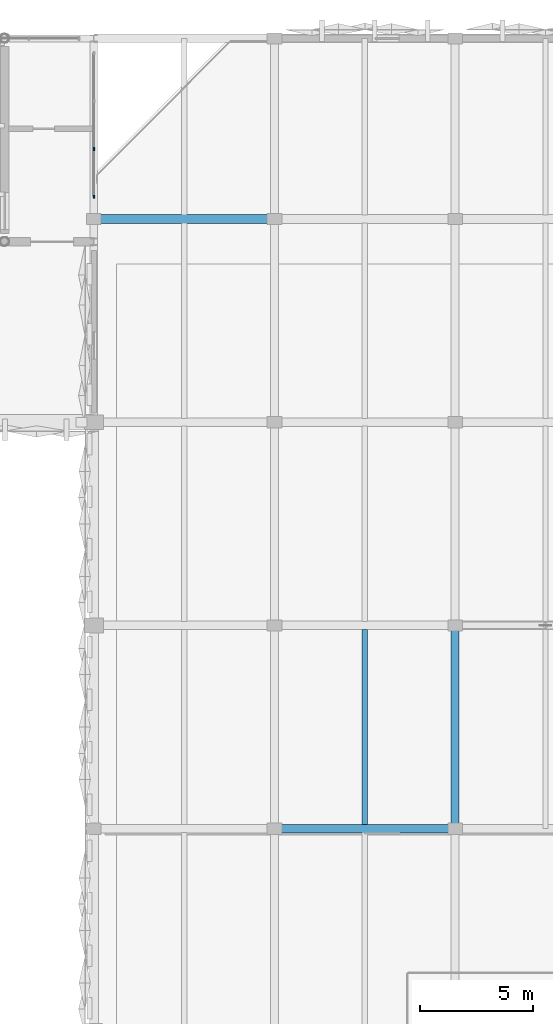
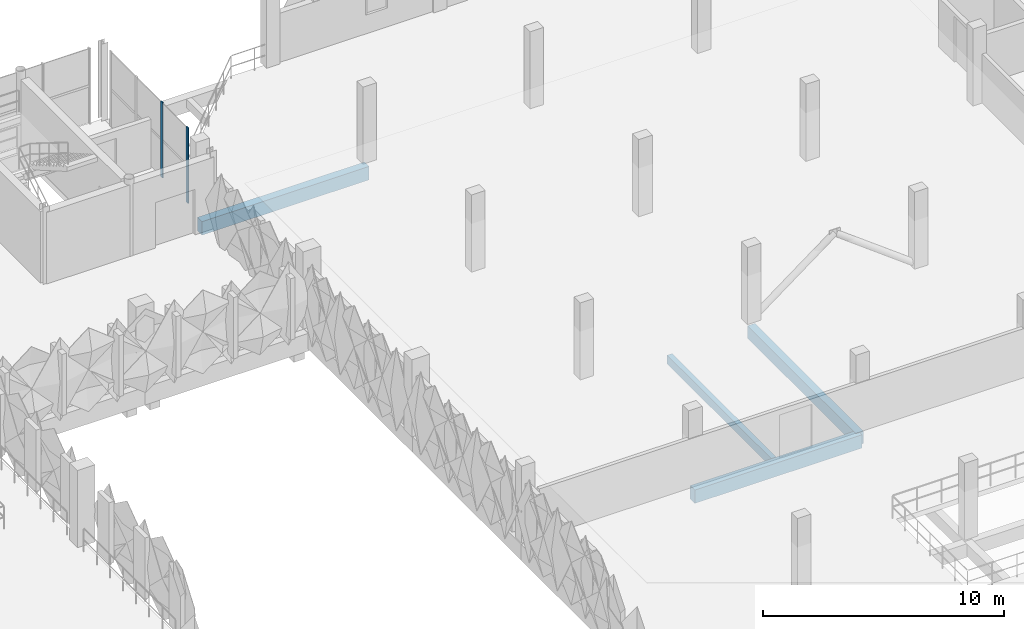
# One storey, part 24 of 83: 4 beams, 2 members, 1 element without a shape of its own.
"""IFC4 building model written with IfcOpenShell, lengths in metres."""

from ifc_helpers import new_model, si_unit, derived_unit, direction, frame, origin, origin_2d, place, context, subcontext, project, spatial, rectangle, extrude, material, layer, layer_set, material_profile, profile_set, type_object, element, aggregate, save


model = new_model("IFC4")

# Units and contexts
model_context = context("Model", 3, precision=1e-05, world=origin(), true_north=direction((0.0, 1.0)))
body_context = subcontext(model_context, "Body", "Model", "MODEL_VIEW")
ifc_project = project(units=[si_unit("LENGTHUNIT", "METRE"), si_unit("AREAUNIT", "SQUARE_METRE"), si_unit("VOLUMEUNIT", "CUBIC_METRE"), si_unit("PLANEANGLEUNIT", "RADIAN"), si_unit("MASSUNIT", "GRAM", prefix="KILO"), si_unit("THERMODYNAMICTEMPERATUREUNIT", "KELVIN"), derived_unit("THERMALTRANSMITTANCEUNIT", [(si_unit("POWERUNIT", "WATT"), 1), (si_unit("AREAUNIT", "SQUARE_METRE"), -1), (si_unit("THERMODYNAMICTEMPERATUREUNIT", "KELVIN"), -1)])], contexts=[model_context])

# Site, building, storey
site_placement = place(None, origin())
site = spatial("IfcSite", under=ifc_project, at=site_placement, CompositionType="ELEMENT")
building_placement = place(site_placement, origin())
building = spatial("IfcBuilding", under=site, at=building_placement, Name="Haiyu Intermodal Mobility Hub", CompositionType="ELEMENT")
storey_placement = place(building_placement, frame((0.0, 0.0, 13.39990234375)))
storey = spatial("IfcBuildingStorey", under=building, at=storey_placement, Name="L03", CompositionType="ELEMENT", Elevation=13.39990234375)

# Beams
ifc_material_1 = material(Name="Concrete C40", Category="concrete")
ifc_material_profile_1 = material_profile(ifc_material_1, rectangle(XDim=0.3798828125, YDim=0.679931640625, at=origin_2d()), Name="B380x680")
ifc_profile_set_1 = profile_set([ifc_material_profile_1], Name="Concrete C40")
beam_type_1 = type_object("IfcBeamType", Name="BM-CB15", PredefinedType="BEAM", material=ifc_profile_set_1)
for number, where, z_axis, x_axis, name in (
    (1, (170.0, 113.0, -0.599853515625), (1.0, 0.0, 0.0), (0.0, 1.0, 0.0), "BM-V6G-L03-026"),
    (2, (162.0, 140.0, -0.599853515625), (1.0, 0.0, 0.0), (0.0, 1.0, 0.0), "BM-V6G-L03-043"),
):
    element("IfcBeam", number, at=place(storey_placement, frame(where, z_axis=z_axis, x_axis=x_axis)), inside=storey, type_object=beam_type_1, Name=name, PredefinedType="BEAM", context=body_context, shape_type="SweptSolid", body=[
        extrude(rectangle(XDim=0.3798828125, YDim=0.679931640625, at=origin_2d()), origin(), (0.0, 0.0, 1.0), 8.0),
    ])
ifc_material_profile_2 = material_profile(ifc_material_1, rectangle(XDim=0.360107421875, YDim=0.6201171875, at=origin_2d()), Name="B360x620")
ifc_profile_set_2 = profile_set([ifc_material_profile_2], Name="Concrete C40")
beam_type_2 = type_object("IfcBeamType", Name="BM-CB16", PredefinedType="BEAM", material=ifc_profile_set_2)
beam_1_placement = place(storey_placement, frame((178.0, 113.0, -0.56982421875), z_axis=(0.0, 1.0, 0.0), x_axis=(-1.0, 0.0, 0.0)))
element("IfcBeam", 3, at=beam_1_placement, inside=storey, type_object=beam_type_2, Name="BM-V6T-L03-021", PredefinedType="BEAM", context=body_context, shape_type="SweptSolid", body=[
    extrude(rectangle(XDim=0.360107421875, YDim=0.6201171875, at=origin_2d()), origin(), (0.0, 0.0, 1.0), 9.0),
])
ifc_material_profile_3 = material_profile(ifc_material_1, rectangle(XDim=0.239990234375, YDim=0.43994140625, at=origin_2d()), Name="B240x440")
ifc_profile_set_3 = profile_set([ifc_material_profile_3], Name="Concrete C40")
beam_type_3 = type_object("IfcBeamType", Name="BM-CB19", PredefinedType="JOIST", material=ifc_profile_set_3)
beam_2_placement = place(storey_placement, frame((174.0, 113.175048828125, -0.47998046875), z_axis=(0.0, 1.0, 0.0), x_axis=(-1.0, 0.0, 0.0)))
element("IfcBeam", 4, at=beam_2_placement, inside=storey, type_object=beam_type_3, Name="BM-V6J-L03-013", PredefinedType="JOIST", context=body_context, shape_type="SweptSolid", body=[
    extrude(rectangle(XDim=0.239990234375, YDim=0.43994140625, at=origin_2d()), origin(), (0.0, 0.0, 1.0), 8.64990234375),
])

# Curtain wall, members
ifc_material_2 = material(Name="Low-e laminated insulating glass", Category="glass")
ifc_layer = layer(ifc_material_2, 0.199951171875)
ifc_layer_set = layer_set([ifc_layer], Name="Low-e laminated insulating glass")
curtain_wall_type = type_object("IfcCurtainWallType", Name="CW-CW03", PredefinedType="NOTDEFINED", material=ifc_layer_set)
curtain_wall_placement = place(storey_placement, origin())
curtain_wall = element("IfcCurtainWall", 5, at=curtain_wall_placement, inside=storey, type_object=curtain_wall_type, Name="Curtain Wall CW-C4S-L03-070", PredefinedType="NOTDEFINED")
ifc_material_3 = material(Name="Anodised aluminium 6063-T6", Category="aluminium")
ifc_material_profile_4 = material_profile(ifc_material_3, rectangle(XDim=0.06005859375, YDim=0.14501953125, at=origin_2d()), Name="ALU60x145")
ifc_profile_set_4 = profile_set([ifc_material_profile_4], Name="Anodised aluminium 6063-T6")
member_type = type_object("IfcMemberType", Name="CWM-ML03", PredefinedType="MULLION", material=ifc_profile_set_4)
member_1_placement = place(storey_placement, frame((162.0, 140.989990234375, 0.0), z_axis=(0.0, 0.0, 1.0), x_axis=(1.0, 0.0, 0.0)))
member_1 = element("IfcMember", 6, at=member_1_placement, type_object=member_type, Name="CW-C4S-L03-070-ML01", PredefinedType="MULLION", context=body_context, shape_type="SweptSolid", body=[
    extrude(rectangle(XDim=0.06005859375, YDim=0.14501953125, at=origin_2d()), origin(), (0.0, 0.0, 1.0), 3.820068359375),
])
member_2_placement = place(storey_placement, frame((162.0, 143.10693359375, 0.0), z_axis=(0.0, 0.0, 1.0), x_axis=(1.0, 0.0, 0.0)))
member_2 = element("IfcMember", 7, at=member_2_placement, type_object=member_type, Name="CW-C4S-L03-070-ML02", PredefinedType="MULLION", context=body_context, shape_type="SweptSolid", body=[
    extrude(rectangle(XDim=0.06005859375, YDim=0.14501953125, at=origin_2d()), origin(), (0.0, 0.0, 1.0), 3.820068359375),
])
aggregate(curtain_wall, [member_1, member_2])

save(model, "model.ifc")
